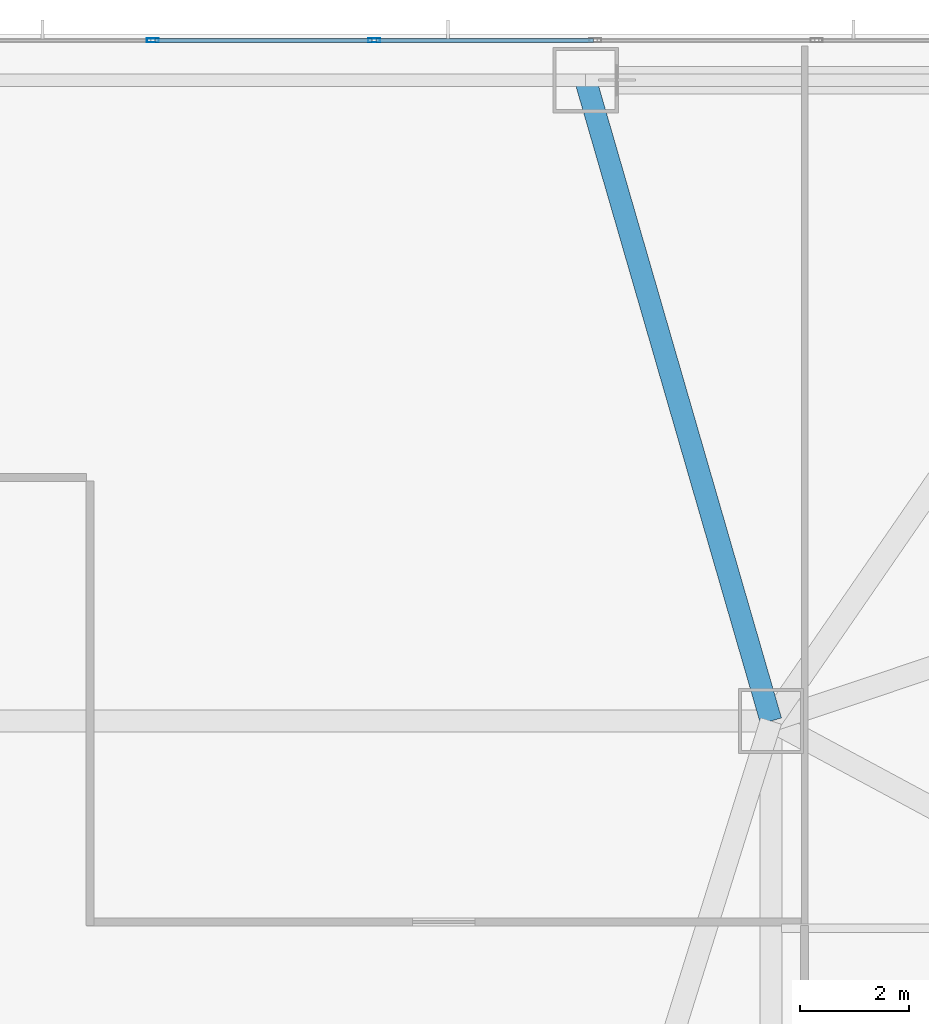
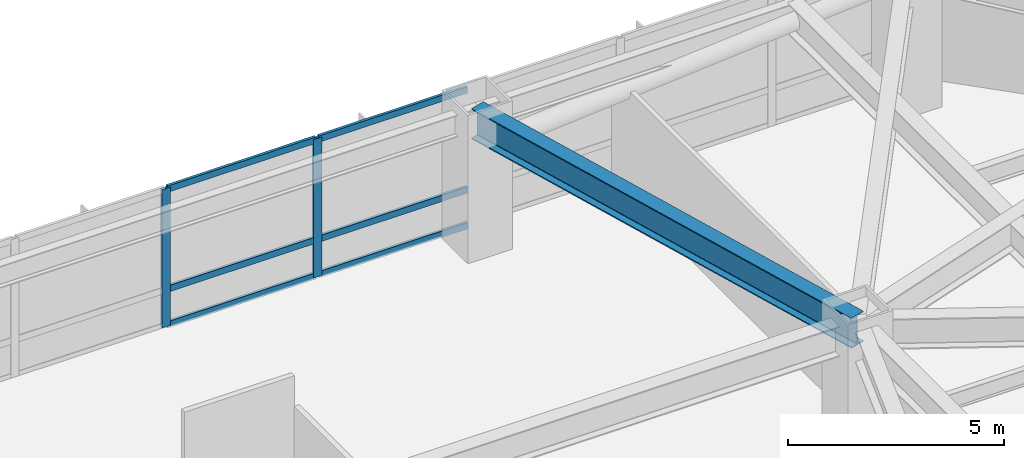
# One storey, part 6 of 24: 8 members, 1 beam, 1 element without a shape of its own.
"""IFC4 building model written with IfcOpenShell, lengths in metres."""

from ifc_helpers import new_model, si_unit, direction, frame, origin, origin_2d, place, context, subcontext, project, spatial, hollow_rectangle, i_section, extrude, material, material_profile, profile_set, type_object, element, aggregate, save


model = new_model("IFC4")

# Units and contexts
model_context = context("Model", 3, precision=1e-05, world=origin(), true_north=direction((0.0, 1.0)))
body_context = subcontext(model_context, "Body", "Model", "MODEL_VIEW")
ifc_project = project(units=[si_unit("LENGTHUNIT", "METRE"), si_unit("AREAUNIT", "SQUARE_METRE"), si_unit("VOLUMEUNIT", "CUBIC_METRE"), si_unit("PLANEANGLEUNIT", "RADIAN"), si_unit("MASSUNIT", "GRAM", prefix="KILO")], contexts=[model_context])

# Site, building, storey
site_placement = place(None, origin())
site = spatial("IfcSite", under=ifc_project, at=site_placement, CompositionType="ELEMENT")
building_placement = place(site_placement, origin())
building = spatial("IfcBuilding", under=site, at=building_placement, Name="Khamvora Tower", CompositionType="ELEMENT")
storey_placement = place(building_placement, frame((0.0, 0.0, 20.39990234375)))
storey = spatial("IfcBuildingStorey", under=building, at=storey_placement, Name="L04", CompositionType="ELEMENT", Elevation=20.39990234375)

# Beam
ifc_material_1 = material(Name="Steel S355", Category="steel")
ifc_material_profile_1 = material_profile(ifc_material_1, i_section(OverallWidth=0.39990234375, OverallDepth=0.85498046875, WebThickness=0.01806640625, FlangeThickness=0.029052734375, FilletRadius=0.01806640625, at=origin_2d()), Name="W840x299")
ifc_profile_set_1 = profile_set([ifc_material_profile_1], Name="Steel S355")
beam_type = type_object("IfcBeamType", Name="BM-PG-W840x299", PredefinedType="BEAM", material=ifc_profile_set_1)
beam_placement = place(storey_placement, frame((41.39990234375, 43.39990234375, 3.4931640625), z_axis=(-0.277951455854, 0.960595121885, 0.0), x_axis=(-0.960595121885, -0.277951455854, 0.0)))
element("IfcBeam", 1, at=beam_placement, inside=storey, type_object=beam_type, Name="L04 primary floor girder P07", PredefinedType="BEAM", context=body_context, shape_type="SweptSolid", body=[
    extrude(i_section(OverallWidth=0.39990234375, OverallDepth=0.85498046875, WebThickness=0.01806640625, FlangeThickness=0.029052734375, FilletRadius=0.01806640625, at=origin_2d()), origin(), (0.0, 0.0, 1.0), 12.23193359375),
])

# Curtain wall, members
ifc_material_2 = material(Name="Anodised Aluminium 6063-T6", Category="aluminium")
curtain_wall_type = type_object("IfcCurtainWallType", Name="CW-SYS-01", PredefinedType="NOTDEFINED", material=ifc_material_2)
curtain_wall_placement = place(storey_placement, origin())
curtain_wall = element("IfcCurtainWall", 2, at=curtain_wall_placement, inside=storey, type_object=curtain_wall_type, Name="L04 stick curtain wall 07.1", PredefinedType="NOTDEFINED")
ifc_material_profile_2 = material_profile(ifc_material_2, hollow_rectangle(XDim=0.074951171875, YDim=0.219970703125, WallThickness=0.0048828125, at=origin_2d()), Name="MUL75x220x5")
ifc_profile_set_2 = profile_set([ifc_material_profile_2], Name="Anodised Aluminium 6063-T6")
member_type_1 = type_object("IfcMemberType", Name="CW-SYS-01-MUL", PredefinedType="MULLION", material=ifc_profile_set_2)
member_1_placement = place(storey_placement, frame((30.06689453125, 55.8798828125, 0.0), z_axis=(0.0, 0.0, 1.0), x_axis=(0.0, 1.0, 0.0)))
member_1 = element("IfcMember", 3, at=member_1_placement, type_object=member_type_1, Name="CW-01 mullion 7", PredefinedType="MULLION", context=body_context, shape_type="SweptSolid", body=[
    extrude(hollow_rectangle(XDim=0.074951171875, YDim=0.219970703125, WallThickness=0.0048828125, at=origin_2d()), origin(), (0.0, 0.0, 1.0), 3.920166015625),
])
member_2_placement = place(storey_placement, frame((34.12353515625, 55.8798828125, 0.0), z_axis=(0.0, 0.0, 1.0), x_axis=(0.0, 1.0, 0.0)))
member_2 = element("IfcMember", 4, at=member_2_placement, type_object=member_type_1, Name="CW-01 mullion 8", PredefinedType="MULLION", context=body_context, shape_type="SweptSolid", body=[
    extrude(hollow_rectangle(XDim=0.074951171875, YDim=0.219970703125, WallThickness=0.0048828125, at=origin_2d()), origin(), (0.0, 0.0, 1.0), 3.920166015625),
])
ifc_material_profile_3 = material_profile(ifc_material_2, hollow_rectangle(XDim=0.074951171875, YDim=0.179931640625, WallThickness=0.0048828125, at=origin_2d()), Name="TRN75x180x5")
ifc_profile_set_3 = profile_set([ifc_material_profile_3], Name="Anodised Aluminium 6063-T6")
member_type_2 = type_object("IfcMemberType", Name="CW-SYS-01-TRN", PredefinedType="USERDEFINED", material=ifc_profile_set_3)
member_3_placement = place(storey_placement, frame((30.104248046875, 55.8798828125, 0.03759765625), z_axis=(1.0, 0.0, 0.0), x_axis=(0.0, 1.0, 0.0)))
member_3 = element("IfcMember", 5, at=member_3_placement, type_object=member_type_2, Name="CW-01 transom 7.1", ObjectType="TRANSOM", PredefinedType="USERDEFINED", context=body_context, shape_type="SweptSolid", body=[
    extrude(hollow_rectangle(XDim=0.074951171875, YDim=0.179931640625, WallThickness=0.0048828125, at=origin_2d()), origin(), (0.0, 0.0, 1.0), 3.981689453125),
])
member_4_placement = place(storey_placement, frame((30.104248046875, 55.8798828125, 1.050048828125), z_axis=(1.0, 0.0, 0.0), x_axis=(0.0, 1.0, 0.0)))
member_4 = element("IfcMember", 6, at=member_4_placement, type_object=member_type_2, Name="CW-01 transom 7.2", ObjectType="TRANSOM", PredefinedType="USERDEFINED", context=body_context, shape_type="SweptSolid", body=[
    extrude(hollow_rectangle(XDim=0.074951171875, YDim=0.179931640625, WallThickness=0.0048828125, at=origin_2d()), origin(), (0.0, 0.0, 1.0), 3.981689453125),
])
member_5_placement = place(storey_placement, frame((30.104248046875, 55.8798828125, 3.882568359375), z_axis=(1.0, 0.0, 0.0), x_axis=(0.0, 1.0, 0.0)))
member_5 = element("IfcMember", 7, at=member_5_placement, type_object=member_type_2, Name="CW-01 transom 7.3", ObjectType="TRANSOM", PredefinedType="USERDEFINED", context=body_context, shape_type="SweptSolid", body=[
    extrude(hollow_rectangle(XDim=0.074951171875, YDim=0.179931640625, WallThickness=0.0048828125, at=origin_2d()), origin(), (0.0, 0.0, 1.0), 3.981689453125),
])
member_6_placement = place(storey_placement, frame((34.160888671875, 55.8798828125, 0.03759765625), z_axis=(1.0, 0.0, 0.0), x_axis=(0.0, 1.0, 0.0)))
member_6 = element("IfcMember", 8, at=member_6_placement, type_object=member_type_2, Name="CW-01 transom 8.1", ObjectType="TRANSOM", PredefinedType="USERDEFINED", context=body_context, shape_type="SweptSolid", body=[
    extrude(hollow_rectangle(XDim=0.074951171875, YDim=0.179931640625, WallThickness=0.0048828125, at=origin_2d()), origin(), (0.0, 0.0, 1.0), 3.981689453125),
])
member_7_placement = place(storey_placement, frame((34.160888671875, 55.8798828125, 1.050048828125), z_axis=(1.0, 0.0, 0.0), x_axis=(0.0, 1.0, 0.0)))
member_7 = element("IfcMember", 9, at=member_7_placement, type_object=member_type_2, Name="CW-01 transom 8.2", ObjectType="TRANSOM", PredefinedType="USERDEFINED", context=body_context, shape_type="SweptSolid", body=[
    extrude(hollow_rectangle(XDim=0.074951171875, YDim=0.179931640625, WallThickness=0.0048828125, at=origin_2d()), origin(), (0.0, 0.0, 1.0), 3.981689453125),
])
member_8_placement = place(storey_placement, frame((34.160888671875, 55.8798828125, 3.882568359375), z_axis=(1.0, 0.0, 0.0), x_axis=(0.0, 1.0, 0.0)))
member_8 = element("IfcMember", 10, at=member_8_placement, type_object=member_type_2, Name="CW-01 transom 8.3", ObjectType="TRANSOM", PredefinedType="USERDEFINED", context=body_context, shape_type="SweptSolid", body=[
    extrude(hollow_rectangle(XDim=0.074951171875, YDim=0.179931640625, WallThickness=0.0048828125, at=origin_2d()), origin(), (0.0, 0.0, 1.0), 3.981689453125),
])
aggregate(curtain_wall, [member_1, member_2, member_3, member_4, member_5, member_6, member_7, member_8])

save(model, "model.ifc")
